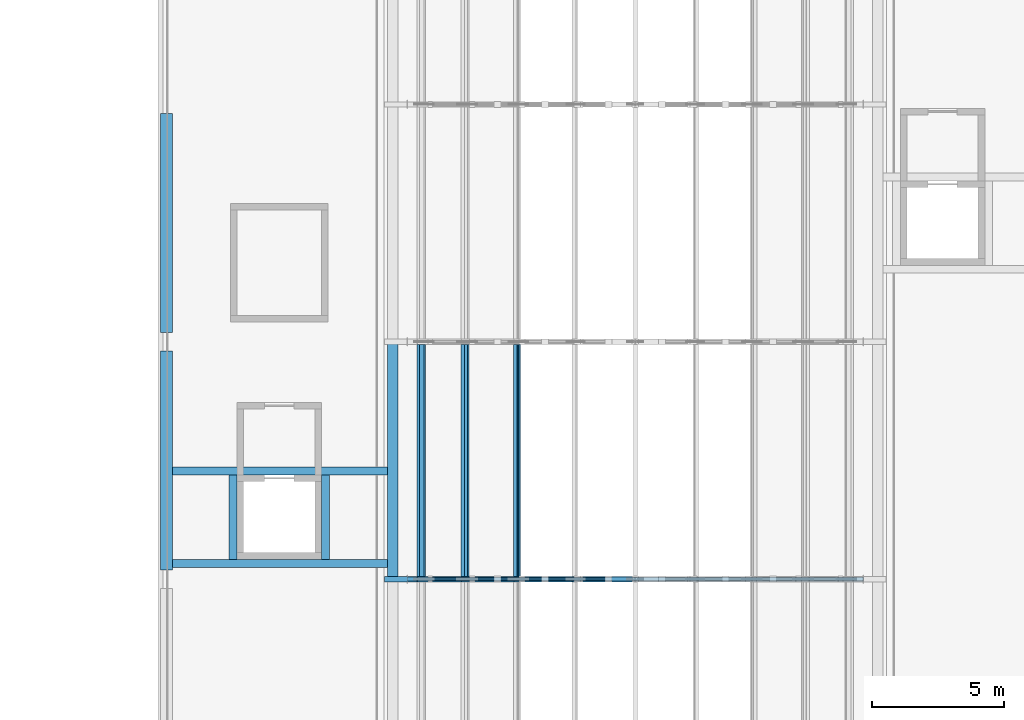
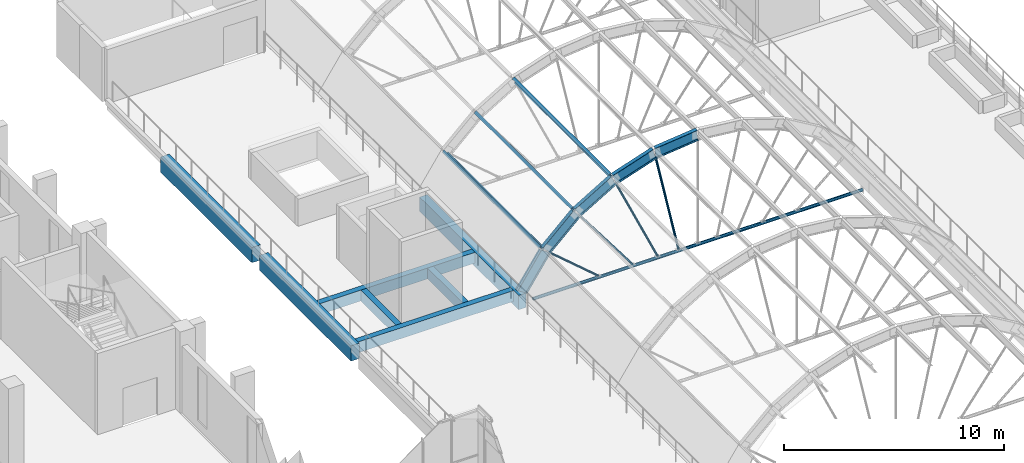
# One storey, part 21 of 79: 12 beams, 8 members.
"""IFC4 building model written with IfcOpenShell, lengths in metres."""

from ifc_helpers import new_model, si_unit, direction, frame, origin, origin_2d, place, context, subcontext, project, spatial, rectangle, hollow_circle, i_section, extrude, material, material_profile, profile_set, type_object, element, save


model = new_model("IFC4")

# Units and contexts
model_context = context("Model", 3, precision=1e-05, world=origin(), true_north=direction((0.0, 1.0)))
body_context = subcontext(model_context, "Body", "Model", "MODEL_VIEW")
ifc_project = project(units=[si_unit("LENGTHUNIT", "METRE"), si_unit("AREAUNIT", "SQUARE_METRE"), si_unit("VOLUMEUNIT", "CUBIC_METRE"), si_unit("PLANEANGLEUNIT", "RADIAN"), si_unit("MASSUNIT", "GRAM", prefix="KILO")], contexts=[model_context])

# Site, building, storey
site_placement = place(None, origin())
site = spatial("IfcSite", under=ifc_project, at=site_placement, CompositionType="ELEMENT")
building_placement = place(site_placement, origin())
building = spatial("IfcBuilding", under=site, at=building_placement, Name="Guidao Yard Department Store", CompositionType="ELEMENT")
storey_placement = place(building_placement, frame((0.0, 0.0, 15.0)))
storey = spatial("IfcBuildingStorey", under=building, at=storey_placement, Name="L03", CompositionType="ELEMENT", Elevation=15.0)

# Members
ifc_material_1 = material(Name="Steel Q355B", Category="steel")
ifc_material_profile_1 = material_profile(ifc_material_1, hollow_circle(Radius=0.056884765625, WallThickness=0.006103515625, at=origin_2d()), Name="CHS 114x6")
ifc_profile_set_1 = profile_set([ifc_material_profile_1], Name="Steel Q355B")
member_type_1 = type_object("IfcMemberType", Name="CHS 114x6", PredefinedType="BRACE", material=ifc_profile_set_1)
member_1_placement = place(storey_placement, frame((84.77490234375, 81.0, -0.360107421875), z_axis=(-0.760338516722, 0.0, 0.649527012516), x_axis=(0.0, -1.0, 0.0)))
element("IfcMember", 1, at=member_1_placement, inside=storey, type_object=member_type_1, Name="Roof web strut C05-01", PredefinedType="BRACE", context=body_context, shape_type="SweptSolid", body=[
    extrude(hollow_circle(Radius=0.056884765625, WallThickness=0.006103515625, at=origin_2d()), origin(), (0.0, 0.0, 1.0), 3.357666015625),
])
member_2_placement = place(storey_placement, frame((86.575927734375, 81.0, -0.360107421875), z_axis=(-0.600934318152, 0.0, 0.799298408147), x_axis=(0.0, -1.0, 0.0)))
element("IfcMember", 2, at=member_2_placement, inside=storey, type_object=member_type_1, Name="Roof web strut C05-02", PredefinedType="BRACE", context=body_context, shape_type="SweptSolid", body=[
    extrude(hollow_circle(Radius=0.056884765625, WallThickness=0.006103515625, at=origin_2d()), origin(), (0.0, 0.0, 1.0), 4.596923828125),
])
member_3_placement = place(storey_placement, frame((87.890869140625, 81.0, -0.360107421875), z_axis=(-0.415142377249, 0.0, 0.909756454559), x_axis=(0.0, -1.0, 0.0)))
element("IfcMember", 3, at=member_3_placement, inside=storey, type_object=member_type_1, Name="Roof web strut C05-03", PredefinedType="BRACE", context=body_context, shape_type="SweptSolid", body=[
    extrude(hollow_circle(Radius=0.056884765625, WallThickness=0.006103515625, at=origin_2d()), origin(), (0.0, 0.0, 1.0), 5.271728515625),
])
member_4_placement = place(storey_placement, frame((88.98876953125, 81.0, -0.360107421875), z_axis=(-0.211899287995, 0.0, 0.977291508071), x_axis=(0.0, -1.0, 0.0)))
element("IfcMember", 4, at=member_4_placement, inside=storey, type_object=member_type_1, Name="Roof web strut C05-04", PredefinedType="BRACE", context=body_context, shape_type="SweptSolid", body=[
    extrude(hollow_circle(Radius=0.056884765625, WallThickness=0.006103515625, at=origin_2d()), origin(), (0.0, 0.0, 1.0), 5.619140625),
])
ifc_material_2 = material(Name="Steel Q355B", Category="steel")
ifc_material_profile_2 = material_profile(ifc_material_2, hollow_circle(Radius=0.083984375, WallThickness=0.008056640625, at=origin_2d()), Name="CHS 168x8")
ifc_profile_set_2 = profile_set([ifc_material_profile_2], Name="Steel Q355B")
member_type_2 = type_object("IfcMemberType", Name="CHS 168x8", PredefinedType="BRACE", material=ifc_profile_set_2)
member_5_placement = place(storey_placement, frame((81.35009765625, 81.0, -0.449951171875), z_axis=(1.0, 0.0, 0.0), x_axis=(0.0, 1.0, 0.0)))
element("IfcMember", 5, at=member_5_placement, inside=storey, type_object=member_type_2, Name="Roof tie rod C05", PredefinedType="BRACE", context=body_context, shape_type="SweptSolid", body=[
    extrude(hollow_circle(Radius=0.083984375, WallThickness=0.008056640625, at=origin_2d()), origin(), (0.0, 0.0, 1.0), 17.2998046875),
])

# Beams
ifc_material_3 = material(Name="Concrete C40", Category="concrete")
ifc_material_profile_3 = material_profile(ifc_material_3, rectangle(XDim=0.449951171875, YDim=0.85009765625, at=origin_2d()), Name="Garden roof spandrel beam 450 x 850 C40")
ifc_profile_set_3 = profile_set([ifc_material_profile_3], Name="Concrete C40")
beam_type_1 = type_object("IfcBeamType", Name="Garden roof spandrel beam 450 x 850 C40", PredefinedType="SPANDREL", material=ifc_profile_set_3)
for number, where, z_axis, x_axis, name in (
    (6, (72.22509765625, 81.35009765625, -0.425048828125), (0.0, 1.0, 0.0), (-1.0, 0.0, 0.0), "Beam EB50"),
    (7, (72.22509765625, 90.35009765625, -0.425048828125), (0.0, 1.0, 0.0), (-1.0, 0.0, 0.0), "Beam EB51"),
):
    element("IfcBeam", number, at=place(storey_placement, frame(where, z_axis=z_axis, x_axis=x_axis)), inside=storey, type_object=beam_type_1, Name=name, PredefinedType="SPANDREL", context=body_context, shape_type="SweptSolid", body=[
        extrude(rectangle(XDim=0.449951171875, YDim=0.85009765625, at=origin_2d()), origin(), (0.0, 0.0, 1.0), 8.2998046875),
    ])

# Members
ifc_material_4 = material(Name="Steel Q355B", Category="steel")
ifc_material_profile_4 = material_profile(ifc_material_4, i_section(OverallWidth=0.14990234375, OverallDepth=0.300048828125, WebThickness=0.006591796875, FlangeThickness=0.009033203125, FilletRadius=0.012939453125, at=origin_2d()), Name="HN 300x150x6.5x9")
ifc_profile_set_4 = profile_set([ifc_material_profile_4], Name="Steel Q355B")
member_type_3 = type_object("IfcMemberType", Name="HN 300x150x6.5x9", PredefinedType="PURLIN", material=ifc_profile_set_4)
for number, where, z_axis, x_axis, name in (
    (8, (81.88330078125, 81.10009765625, 2.110107421875), (0.0, 1.0, 0.0), (-0.649536869322, 0.0, -0.760330096334), "Roof purlin C05-01"),
    (9, (83.5458984375, 81.10009765625, 3.670166015625), (0.0, 1.0, 0.0), (-0.79928350319, 0.0, -0.600954142617), "Roof purlin C05-02"),
    (10, (85.517578125, 81.10009765625, 4.841064453125), (0.0, 1.0, 0.0), (-0.909750741633, 0.0, -0.415154896513), "Roof purlin C05-03"),
):
    element("IfcMember", number, at=place(storey_placement, frame(where, z_axis=z_axis, x_axis=x_axis)), inside=storey, type_object=member_type_3, Name=name, PredefinedType="PURLIN", context=body_context, shape_type="SweptSolid", body=[
        extrude(i_section(OverallWidth=0.14990234375, OverallDepth=0.300048828125, WebThickness=0.006591796875, FlangeThickness=0.009033203125, FilletRadius=0.012939453125, at=origin_2d()), origin(), (0.0, 0.0, 1.0), 8.7998046875),
    ])

# Beams
ifc_material_5 = material(Name="Steel Q355B", Category="steel")
ifc_material_profile_5 = material_profile(ifc_material_5, i_section(OverallWidth=0.199951171875, OverallDepth=0.60009765625, WebThickness=0.010986328125, FlangeThickness=0.01708984375, FilletRadius=0.012939453125, at=origin_2d()), Name="HN 600x200x11x17")
ifc_profile_set_5 = profile_set([ifc_material_profile_5], Name="Steel Q355B")
beam_type_2 = type_object("IfcBeamType", Name="HN 600x200x11x17", PredefinedType="BEAM", material=ifc_profile_set_5)
beam_1_placement = place(storey_placement, frame((80.73681640625, 81.0, 0.168701171875), z_axis=(0.561973245007, 0.0, 0.827155409761), x_axis=(0.0, 1.0, 0.0)))
element("IfcBeam", 11, at=beam_1_placement, inside=storey, type_object=beam_type_2, Name="Roof rib C05-01", PredefinedType="BEAM", context=body_context, shape_type="SweptSolid", body=[
    extrude(i_section(OverallWidth=0.199951171875, OverallDepth=0.60009765625, WebThickness=0.010986328125, FlangeThickness=0.01708984375, FilletRadius=0.012939453125, at=origin_2d()), origin(), (0.0, 0.0, 1.0), 2.201171875),
])
beam_2_placement = place(storey_placement, frame((82.016845703125, 81.0, 2.03955078125), z_axis=(0.729181254966, 0.0, 0.684320610099), x_axis=(0.0, 1.0, 0.0)))
element("IfcBeam", 12, at=beam_2_placement, inside=storey, type_object=beam_type_2, Name="Roof rib C05-02", PredefinedType="BEAM", context=body_context, shape_type="SweptSolid", body=[
    extrude(i_section(OverallWidth=0.199951171875, OverallDepth=0.60009765625, WebThickness=0.010986328125, FlangeThickness=0.01708984375, FilletRadius=0.012939453125, at=origin_2d()), origin(), (0.0, 0.0, 1.0), 2.182373046875),
])
beam_3_placement = place(storey_placement, frame((83.660400390625, 81.0, 3.572265625), z_axis=(0.859895907255, 0.0, 0.510469419933), x_axis=(0.0, 1.0, 0.0)))
element("IfcBeam", 13, at=beam_3_placement, inside=storey, type_object=beam_type_2, Name="Roof rib C05-03", PredefinedType="BEAM", context=body_context, shape_type="SweptSolid", body=[
    extrude(i_section(OverallWidth=0.199951171875, OverallDepth=0.60009765625, WebThickness=0.010986328125, FlangeThickness=0.01708984375, FilletRadius=0.012939453125, at=origin_2d()), origin(), (0.0, 0.0, 1.0), 2.19677734375),
])
beam_4_placement = place(storey_placement, frame((85.60791015625, 81.0, 4.720458984375), z_axis=(0.949091595418, 0.0, 0.31500022779), x_axis=(0.0, 1.0, 0.0)))
element("IfcBeam", 14, at=beam_4_placement, inside=storey, type_object=beam_type_2, Name="Roof rib C05-04", PredefinedType="BEAM", context=body_context, shape_type="SweptSolid", body=[
    extrude(i_section(OverallWidth=0.199951171875, OverallDepth=0.60009765625, WebThickness=0.010986328125, FlangeThickness=0.01708984375, FilletRadius=0.012939453125, at=origin_2d()), origin(), (0.0, 0.0, 1.0), 2.2080078125),
])
beam_5_placement = place(storey_placement, frame((87.766357421875, 81.0, 5.429443359375), z_axis=(0.994311656362, 0.0, 0.10650976492), x_axis=(0.0, 1.0, 0.0)))
element("IfcBeam", 15, at=beam_5_placement, inside=storey, type_object=beam_type_2, Name="Roof rib C05-05", PredefinedType="BEAM", context=body_context, shape_type="SweptSolid", body=[
    extrude(i_section(OverallWidth=0.199951171875, OverallDepth=0.60009765625, WebThickness=0.010986328125, FlangeThickness=0.01708984375, FilletRadius=0.012939453125, at=origin_2d()), origin(), (0.0, 0.0, 1.0), 2.21435546875),
])
ifc_material_6 = material(Name="Concrete C40", Category="concrete")
ifc_material_profile_6 = material_profile(ifc_material_6, rectangle(XDim=0.300048828125, YDim=0.60009765625, at=origin_2d()), Name="Opening beam 300 x 600 C40")
ifc_profile_set_6 = profile_set([ifc_material_profile_6], Name="Concrete C40")
beam_type_3 = type_object("IfcBeamType", Name="Opening beam 300 x 600 C40", PredefinedType="BEAM", material=ifc_profile_set_6)
for number, where, z_axis, x_axis, name in (
    (16, (72.449951171875, 81.60009765625, -0.300048828125), (1.0, 0.0, 0.0), (0.0, 1.0, 0.0), "Beam OB25"),
    (17, (72.449951171875, 85.10009765625, -0.300048828125), (1.0, 0.0, 0.0), (0.0, 1.0, 0.0), "Beam OB26"),
):
    element("IfcBeam", number, at=place(storey_placement, frame(where, z_axis=z_axis, x_axis=x_axis)), inside=storey, type_object=beam_type_3, Name=name, PredefinedType="BEAM", context=body_context, shape_type="SweptSolid", body=[
        extrude(rectangle(XDim=0.300048828125, YDim=0.60009765625, at=origin_2d()), origin(), (0.0, 0.0, 1.0), 8.150146484375),
    ])
for number, where, z_axis, x_axis, name in (
    (18, (74.75, 81.75, -0.300048828125), (0.0, 1.0, 0.0), (-1.0, 0.0, 0.0), "Beam OB27"),
    (19, (78.25, 81.75, -0.300048828125), (0.0, 1.0, 0.0), (-1.0, 0.0, 0.0), "Beam OB28"),
):
    element("IfcBeam", number, at=place(storey_placement, frame(where, z_axis=z_axis, x_axis=x_axis)), inside=storey, type_object=beam_type_3, Name=name, PredefinedType="BEAM", context=body_context, shape_type="SweptSolid", body=[
        extrude(rectangle(XDim=0.300048828125, YDim=0.60009765625, at=origin_2d()), origin(), (0.0, 0.0, 1.0), 3.199951171875),
    ])
ifc_material_7 = material(Name="Concrete C40", Category="concrete")
ifc_material_profile_7 = material_profile(ifc_material_7, rectangle(XDim=0.39990234375, YDim=0.800048828125, at=origin_2d()), Name="Vault bearing beam 400 x 800 C40")
ifc_profile_set_7 = profile_set([ifc_material_profile_7], Name="Concrete C40")
beam_type_4 = type_object("IfcBeamType", Name="Vault bearing beam 400 x 800 C40", PredefinedType="BEAM", material=ifc_profile_set_7)
beam_6_placement = place(storey_placement, frame((80.800048828125, 81.0, -0.39990234375), z_axis=(0.0, 1.0, 0.0), x_axis=(-1.0, 0.0, 0.0)))
element("IfcBeam", 20, at=beam_6_placement, inside=storey, type_object=beam_type_4, Name="Beam VB05", PredefinedType="BEAM", context=body_context, shape_type="SweptSolid", body=[
    extrude(rectangle(XDim=0.39990234375, YDim=0.800048828125, at=origin_2d()), origin(), (0.0, 0.0, 1.0), 9.0),
])

save(model, "model.ifc")
